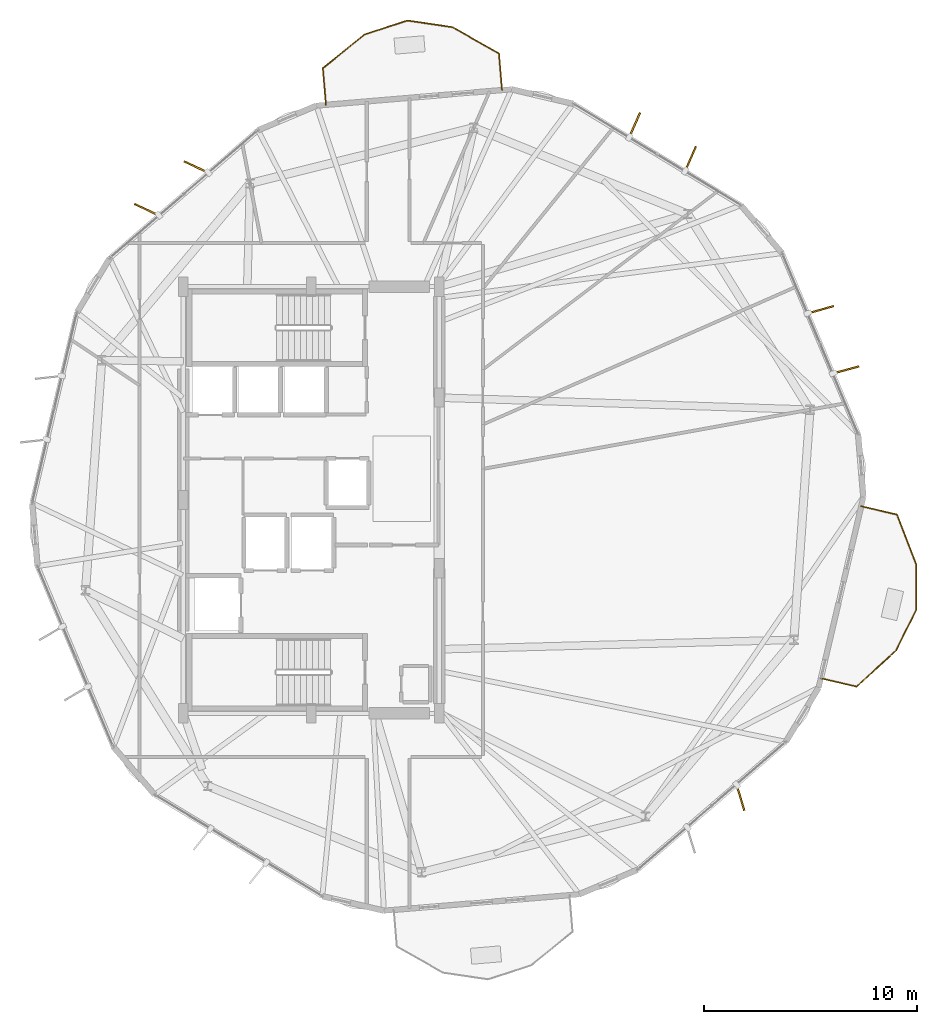
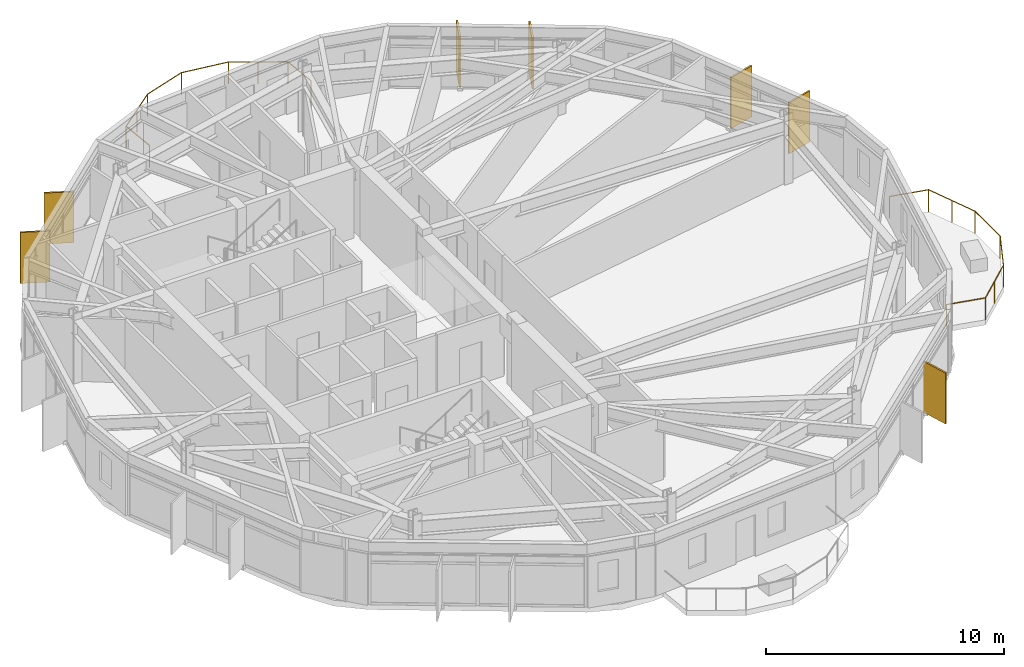
# One storey, part 27 of 27: 7 shading devices, 2 railings.
"""IFC4 building model written with IfcOpenShell, lengths in metres."""

from ifc_helpers import new_model, si_unit, direction, frame, origin, origin_2d, place, context, subcontext, project, spatial, rectangle, circle, extrude, material, layer, layer_set, type_object, element, save


model = new_model("IFC4")

# Units and contexts
model_context = context("Model", 3, precision=1e-05, world=origin(), true_north=direction((0.0, 1.0)))
body_context = subcontext(model_context, "Body", "Model", "MODEL_VIEW")
ifc_project = project(units=[si_unit("LENGTHUNIT", "METRE"), si_unit("AREAUNIT", "SQUARE_METRE"), si_unit("VOLUMEUNIT", "CUBIC_METRE"), si_unit("PLANEANGLEUNIT", "RADIAN"), si_unit("MASSUNIT", "GRAM", prefix="KILO")], contexts=[model_context])

# Site, building, storey
site_placement = place(None, origin())
site = spatial("IfcSite", under=ifc_project, at=site_placement, CompositionType="ELEMENT")
building_placement = place(site_placement, origin())
building = spatial("IfcBuilding", under=site, at=building_placement, Name="Soratama Intermodal Tower", CompositionType="ELEMENT")
storey_placement = place(building_placement, frame((0.0, 0.0, 182.199951171875)))
storey = spatial("IfcBuildingStorey", under=building, at=storey_placement, Name="L45", CompositionType="ELEMENT", Elevation=182.199951171875)

# Railings
ifc_material_1 = material(Name="Laminated glass and stainless steel balustrade", Category="steel")
railing_type = type_object("IfcRailingType", Name="RL-BAL-1150", PredefinedType="BALUSTRADE", material=ifc_material_1)
railing_1_placement = place(storey_placement, frame((64.385009765625, 24.709716796875, 0.0)))
element("IfcRailing", 1, at=railing_1_placement, inside=storey, type_object=railing_type, Name="L45 Balcony Balustrade 1", PredefinedType="BALUSTRADE", context=body_context, shape_type="SweptSolid", body=[
    extrude(circle(Radius=0.02392578125, at=origin_2d()), frame((0.0, 0.0, 1.1259765625), z_axis=(0.973571452824, -0.228382631228, 0.0), x_axis=(0.228382631228, 0.973571452824, 0.0)), (0.0, 0.0, 1.0), 1.719970703125),
    extrude(circle(Radius=0.02392578125, at=origin_2d()), frame((1.674560546875, -0.392822265625, 1.1259765625), z_axis=(0.360510880895, -0.932755007897, 0.0), x_axis=(0.932755007897, 0.360510880895, 0.0)), (0.0, 0.0, 1.0), 2.509033203125),
    extrude(circle(Radius=0.02392578125, at=origin_2d()), frame((2.5791015625, -2.733154296875, 1.1259765625), z_axis=(-0.000573657547, -0.999999835458, 0.0), x_axis=(0.999999835458, -0.000573657547, 0.0)), (0.0, 0.0, 1.0), 2.1279296875),
    extrude(circle(Radius=0.02392578125, at=origin_2d()), frame((2.577880859375, -4.861083984375, 1.1259765625), z_axis=(-0.444136076299, -0.895959343793, 0.0), x_axis=(0.895959343793, -0.444136076299, 0.0)), (0.0, 0.0, 1.0), 2.1279296875),
    extrude(circle(Radius=0.02392578125, at=origin_2d()), frame((1.6328125, -6.767578125, 1.1259765625), z_axis=(-0.737602274674, -0.675235428866, 0.0), x_axis=(0.675235428866, -0.737602274674, 0.0)), (0.0, 0.0, 1.0), 2.50927734375),
    extrude(circle(Radius=0.02392578125, at=origin_2d()), frame((-0.218017578125, -8.4619140625, 1.1259765625), z_axis=(-0.973571452824, 0.228382631228, 0.0), x_axis=(-0.228382631228, -0.973571452824, 0.0)), (0.0, 0.0, 1.0), 1.719970703125),
    extrude(circle(Radius=0.02099609375, at=origin_2d()), origin(), (0.0, 0.0, 1.0), 1.101806640625),
    extrude(circle(Radius=0.02099609375, at=origin_2d()), frame((1.674560546875, -0.392822265625, 0.0)), (0.0, 0.0, 1.0), 1.101806640625),
    extrude(circle(Radius=0.02099609375, at=origin_2d()), frame((2.126953125, -1.56298828125, 0.0)), (0.0, 0.0, 1.0), 1.101806640625),
    extrude(circle(Radius=0.02099609375, at=origin_2d()), frame((2.5791015625, -2.733154296875, 0.0)), (0.0, 0.0, 1.0), 1.101806640625),
    extrude(circle(Radius=0.02099609375, at=origin_2d()), frame((2.577880859375, -4.861083984375, 0.0)), (0.0, 0.0, 1.0), 1.101806640625),
    extrude(circle(Radius=0.02099609375, at=origin_2d()), frame((1.6328125, -6.767578125, 0.0)), (0.0, 0.0, 1.0), 1.101806640625),
    extrude(circle(Radius=0.02099609375, at=origin_2d()), frame((0.70751953125, -7.61474609375, 0.0)), (0.0, 0.0, 1.0), 1.101806640625),
    extrude(circle(Radius=0.02099609375, at=origin_2d()), frame((-0.218017578125, -8.4619140625, 0.0)), (0.0, 0.0, 1.0), 1.101806640625),
    extrude(circle(Radius=0.02099609375, at=origin_2d()), frame((-1.892578125, -8.069091796875, 0.0)), (0.0, 0.0, 1.0), 1.101806640625),
])
railing_2_placement = place(storey_placement, frame((39.28564453125, 43.52587890625, 0.0)))
element("IfcRailing", 2, at=railing_2_placement, inside=storey, type_object=railing_type, Name="L45 Balcony Balustrade 2", PredefinedType="BALUSTRADE", context=body_context, shape_type="SweptSolid", body=[
    extrude(circle(Radius=0.02392578125, at=origin_2d()), frame((0.0, 0.0, 1.1259765625), z_axis=(-0.083609356134, 0.99649860791, 0.0), x_axis=(-0.99649860791, -0.083609356134, 0.0)), (0.0, 0.0, 1.0), 1.719970703125),
    extrude(circle(Radius=0.02392578125, at=origin_2d()), frame((-0.143798828125, 1.7138671875, 1.1259765625), z_axis=(0.775649512671, 0.631163872139, 0.0), x_axis=(-0.631163872139, 0.775649512671, 0.0)), (0.0, 0.0, 1.0), 2.50927734375),
    extrude(circle(Radius=0.02392578125, at=origin_2d()), frame((1.802490234375, 3.297607421875, 1.1259765625), z_axis=(0.951221908995, 0.308507503713, 0.0), x_axis=(-0.308507503713, 0.951221908995, 0.0)), (0.0, 0.0, 1.0), 2.1279296875),
    extrude(circle(Radius=0.02392578125, at=origin_2d()), frame((3.82666015625, 3.9541015625, 1.1259765625), z_axis=(0.989344071946, -0.145596384936, 0.0), x_axis=(0.145596384936, 0.989344071946, 0.0)), (0.0, 0.0, 1.0), 2.1279296875),
    extrude(circle(Radius=0.02392578125, at=origin_2d()), frame((5.931884765625, 3.644287109375, 1.1259765625), z_axis=(0.870093121507, -0.492887370407, 0.0), x_axis=(0.492887370407, 0.870093121507, 0.0)), (0.0, 0.0, 1.0), 2.50927734375),
    extrude(circle(Radius=0.02392578125, at=origin_2d()), frame((8.115234375, 2.407470703125, 1.1259765625), z_axis=(0.083750312677, -0.996486771175, 0.0), x_axis=(0.996486771175, 0.083750312677, 0.0)), (0.0, 0.0, 1.0), 1.719970703125),
    extrude(circle(Radius=0.02099609375, at=origin_2d()), origin(), (0.0, 0.0, 1.0), 1.101806640625),
    extrude(circle(Radius=0.02099609375, at=origin_2d()), frame((-0.143798828125, 1.7138671875, 0.0)), (0.0, 0.0, 1.0), 1.101806640625),
    extrude(circle(Radius=0.02099609375, at=origin_2d()), frame((0.829345703125, 2.505859375, 0.0)), (0.0, 0.0, 1.0), 1.101806640625),
    extrude(circle(Radius=0.02099609375, at=origin_2d()), frame((1.802490234375, 3.297607421875, 0.0)), (0.0, 0.0, 1.0), 1.101806640625),
    extrude(circle(Radius=0.02099609375, at=origin_2d()), frame((3.82666015625, 3.9541015625, 0.0)), (0.0, 0.0, 1.0), 1.101806640625),
    extrude(circle(Radius=0.02099609375, at=origin_2d()), frame((5.931884765625, 3.644287109375, 0.0)), (0.0, 0.0, 1.0), 1.101806640625),
    extrude(circle(Radius=0.02099609375, at=origin_2d()), frame((7.0234375, 3.02587890625, 0.0)), (0.0, 0.0, 1.0), 1.101806640625),
    extrude(circle(Radius=0.02099609375, at=origin_2d()), frame((8.115234375, 2.407470703125, 0.0)), (0.0, 0.0, 1.0), 1.101806640625),
    extrude(circle(Radius=0.02099609375, at=origin_2d()), frame((8.25927734375, 0.693603515625, 0.0)), (0.0, 0.0, 1.0), 1.101806640625),
])

# Shading devices
ifc_material_2 = material(Name="Champagne anodised aluminium solar fin", Category="aluminium")
ifc_layer = layer(ifc_material_2, 0.080078125)
ifc_layer_set = layer_set([ifc_layer], Name="Champagne anodised aluminium solar fin")
shading_device_type = type_object("IfcShadingDeviceType", Name="SH-FIN-1250", PredefinedType="USERDEFINED", material=ifc_layer_set)
for number, where, z_axis, x_axis, name in (
    (3, (56.380859375, 40.99658203125, 0.02001953125), (0.0, 0.0, 1.0), (0.403225890599, 0.915100475986, 0.0), "L45 Solar Fin F01-1"),
    (4, (53.760986328125, 42.583251953125, 0.02001953125), (0.0, 0.0, 1.0), (0.403225890599, 0.915100475986, 0.0), "L45 Solar Fin F01-2"),
    (5, (33.200439453125, 40.612060546875, 0.02001953125), (0.0, 0.0, 1.0), (-0.904827052466, 0.425779291565, 0.0), "L45 Solar Fin F03-1"),
    (6, (30.882080078125, 38.61083984375, 0.02001953125), (0.0, 0.0, 1.0), (-0.904827052466, 0.425779291565, 0.0), "L45 Solar Fin F03-2"),
    (7, (58.720703125, 11.04638671875, 0.02001953125), (0.0, 0.0, 1.0), (0.289031796944, -0.957319497532, 0.0), "L45 Solar Fin F08-2"),
    (8, (63.674560546875, 31.0986328125, 0.02001953125), (0.0, 0.0, 1.0), (0.964188042068, 0.265219568533, 0.0), "L45 Solar Fin F10-1"),
    (9, (62.48779296875, 33.922119140625, 0.02001953125), (0.0, 0.0, 1.0), (0.964188042068, 0.265219568533, 0.0), "L45 Solar Fin F10-2"),
):
    element("IfcShadingDevice", number, at=place(storey_placement, frame(where, z_axis=z_axis, x_axis=x_axis)), inside=storey, type_object=shading_device_type, Name=name, ObjectType="FIN", PredefinedType="USERDEFINED", context=body_context, shape_type="SweptSolid", body=[
        extrude(rectangle(XDim=1.25, YDim=0.080078125, at=origin_2d()), origin(), (0.0, 0.0, 1.0), 2.618896484375),
    ])

save(model, "model.ifc")
